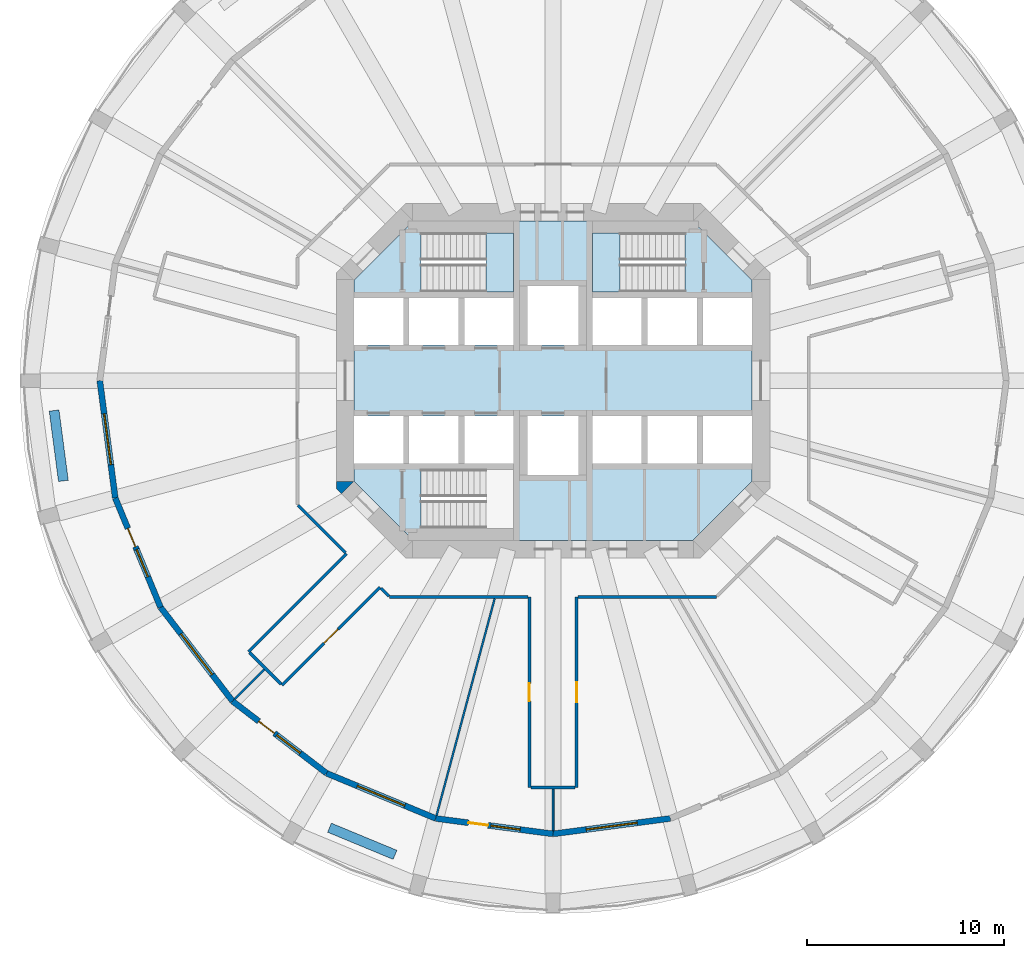
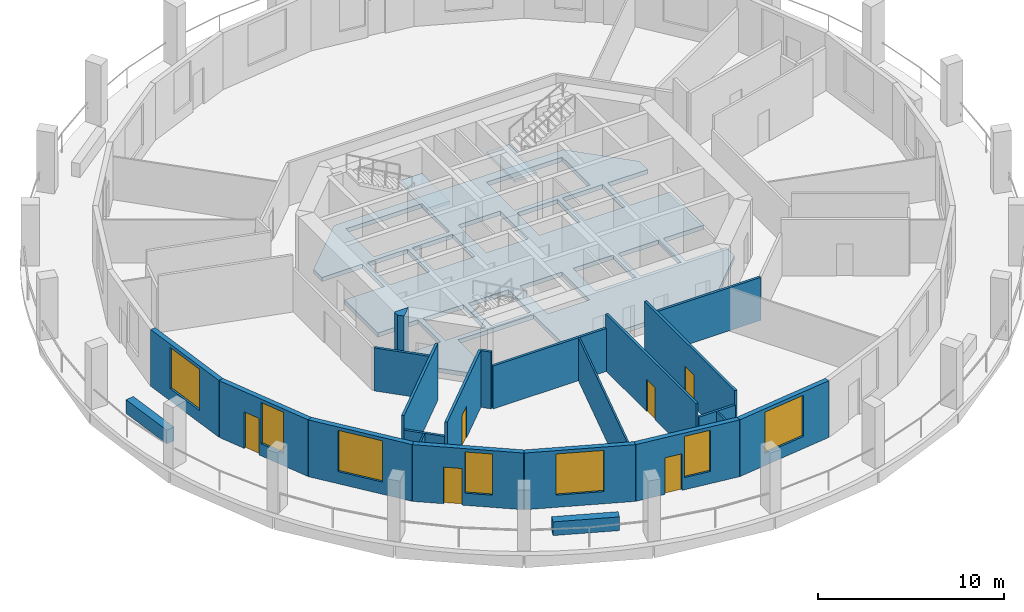
# One storey, part 2 of 9: 23 walls, 7 windows, 6 doors, 3 slabs, 13 openings, 2 elements without a shape of their own.
"""IFC4 building model written with IfcOpenShell, lengths in metres."""

import ifcopenshell
import ifcopenshell.guid

model = None  # the IFC model being written
_history = None  # IfcOwnerHistory: only IFC2X3 demands one
_inside = {}  # id of a spatial element -> (the spatial element, [elements in it])
_under = {}  # id of a project, library or spatial element -> (it, [spatial elements below it])
_declared = {}  # id of a project -> (the project, [libraries it declares])
_typed = {}  # id of a type object -> (the type object, [elements of that type])
_made_of = {}  # id of a material, layer set ... -> (it, [elements and type objects made of it])


def new_model(schema):
    """Start an empty IFC model of exactly this schema.

    Asked for "IFC4X3", IfcOpenShell would pick the latest addendum, in which some entities
    have other attributes; the version numbers below select the first issue.
    IFC2X3 requires an IfcOwnerHistory on every rooted entity: one is made here for all.
    """
    global model, _history
    if schema == "IFC4X3":
        model = ifcopenshell.file(schema_version=(4, 3, 0, 0))
    else:
        model = ifcopenshell.file(schema=schema)
    _inside.clear()
    _under.clear()
    _declared.clear()
    _typed.clear()
    _made_of.clear()
    _history = None
    if model.schema == "IFC2X3":
        org = make("IfcOrganization", Name="unknown")
        user = make(
            "IfcPersonAndOrganization",
            ThePerson=make("IfcPerson", FamilyName="unknown"),
            TheOrganization=org,
        )
        app = make(
            "IfcApplication",
            ApplicationDeveloper=org,
            Version="unknown",
            ApplicationFullName="unknown",
            ApplicationIdentifier="unknown",
        )
        _history = make(
            "IfcOwnerHistory",
            OwningUser=user,
            OwningApplication=app,
            ChangeAction="ADDED",
            CreationDate=0,
        )
    return model


def make(cls, **values):
    """One entity of the class cls with the attributes given. An attribute that is None is left unset."""
    return model.create_entity(
        cls, **{name: value for name, value in values.items() if value is not None}
    )


def rooted(cls, **values):
    """An entity with a GlobalId (a new one), such as an element, a storey or a relation."""
    return make(cls, GlobalId=ifcopenshell.guid.new(), OwnerHistory=_history, **values)


def si_unit(unit_type, name, prefix=None):
    """IfcSIUnit, for example si_unit("LENGTHUNIT", "METRE", prefix="MILLI")."""
    return make("IfcSIUnit", UnitType=unit_type, Prefix=prefix, Name=name)


def assignment(units):
    """IfcUnitAssignment: the units of a project."""
    return None if units is None else make("IfcUnitAssignment", Units=units)


def point(xyz):
    """IfcCartesianPoint."""
    return None if xyz is None else make("IfcCartesianPoint", Coordinates=xyz)


def direction(xyz):
    """IfcDirection."""
    return None if xyz is None else make("IfcDirection", DirectionRatios=xyz)


def frame(location, z_axis=None, x_axis=None):
    """IfcAxis2Placement3D, a coordinate frame: its origin and axes. An axis left out is left unset."""
    return make(
        "IfcAxis2Placement3D",
        Location=point(location),
        Axis=direction(z_axis),
        RefDirection=direction(x_axis),
    )


def frame_2d(location, x_axis=None):
    """IfcAxis2Placement2D, a coordinate frame in the plane: its origin and x axis."""
    return make(
        "IfcAxis2Placement2D", Location=point(location), RefDirection=direction(x_axis)
    )


def origin():
    """The frame at (0, 0, 0) with its axes left unset."""
    return frame((0.0, 0.0, 0.0))


def place(relative_to, where):
    """IfcLocalPlacement: puts the frame where relative to a parent placement (None: the world)."""
    return make(
        "IfcLocalPlacement", PlacementRelTo=relative_to, RelativePlacement=where
    )


def context(
    kind, dimensions, precision=None, world=None, true_north=None, identifier=None
):
    """IfcGeometricRepresentationContext, for example the 3D "Model" context."""
    return make(
        "IfcGeometricRepresentationContext",
        ContextIdentifier=identifier,
        ContextType=kind,
        CoordinateSpaceDimension=dimensions,
        Precision=precision,
        WorldCoordinateSystem=world,
        TrueNorth=true_north,
    )


def subcontext(parent, identifier, kind, view, scale=None):
    """IfcGeometricRepresentationSubContext, for example "Body" below "Model"."""
    return make(
        "IfcGeometricRepresentationSubContext",
        ContextIdentifier=identifier,
        ContextType=kind,
        ParentContext=parent,
        TargetScale=scale,
        TargetView=view,
    )


def project(units=None, contexts=None):
    """IfcProject with its units and contexts."""
    return rooted(
        "IfcProject",
        Name="project",
        RepresentationContexts=contexts,
        UnitsInContext=assignment(units),
    )


def spatial(cls, under=None, at=None, **own):
    """A site, building, storey or space (cls), placed at a placement, below another one or the project."""
    s = rooted(cls, ObjectPlacement=at, **own)
    if under is not None:
        _under.setdefault(under.id(), (under, []))[1].append(s)
    return s


def polyline(points):
    """IfcPolyline through the points."""
    return make("IfcPolyline", Points=[point(p) for p in points])


def profile(cls, at=None, kind="AREA", **sizes):
    """A parametric profile (cls). Its sizes go by their IFC names, for example OverallWidth=200.0."""
    return make(cls, ProfileType=kind, Position=at, **sizes)


def rectangle(**sizes):
    """IfcRectangleProfileDef."""
    return profile("IfcRectangleProfileDef", **sizes)


def outline(outer, holes=None, kind="AREA"):
    """IfcArbitraryClosedProfileDef: a profile drawn as a closed curve; with holes, ...WithVoids."""
    if holes is None:
        return make("IfcArbitraryClosedProfileDef", ProfileType=kind, OuterCurve=outer)
    return make(
        "IfcArbitraryProfileDefWithVoids",
        ProfileType=kind,
        OuterCurve=outer,
        InnerCurves=holes,
    )


def extrude(swept, where, along, depth):
    """IfcExtrudedAreaSolid: the profile swept, set in the frame where, extruded along a direction by depth."""
    return make(
        "IfcExtrudedAreaSolid",
        SweptArea=swept,
        Position=where,
        ExtrudedDirection=direction(along),
        Depth=depth,
    )


def shape(context_of_items, identifier, shape_type, items):
    """IfcShapeRepresentation: the items that make up one representation, for example the "Body"."""
    return make(
        "IfcShapeRepresentation",
        ContextOfItems=context_of_items,
        RepresentationIdentifier=identifier,
        RepresentationType=shape_type,
        Items=items,
    )


def material(Name=None, Category=None):
    """IfcMaterial."""
    return make("IfcMaterial", Name=Name, Category=Category)


def layer(
    of_material, thickness, ventilated=None, Name=None, Category=None, Priority=None
):
    """IfcMaterialLayer: one layer of a wall or slab, of a material (None: an air gap)."""
    return make(
        "IfcMaterialLayer",
        Material=of_material,
        LayerThickness=thickness,
        IsVentilated=ventilated,
        Name=Name,
        Category=Category,
        Priority=Priority,
    )


def layer_set(layers, Name=None):
    """IfcMaterialLayerSet."""
    return make("IfcMaterialLayerSet", MaterialLayers=layers, LayerSetName=Name)


def made_of(thing, what):
    """Note that an element or type object is made of a material, layer set ...; save() writes the relation."""
    if what is not None:
        _made_of.setdefault(what.id(), (what, []))[1].append(thing)
    return thing


def type_object(cls, material=None, **own):
    """A type object (cls), such as IfcWallType, which elements share."""
    return made_of(rooted(cls, **own), material)


def element(
    cls,
    number,
    at=None,
    inside=None,
    cuts=None,
    type_object=None,
    material=None,
    context=None,
    identifier="Body",
    shape_type=None,
    held_by="IfcProductDefinitionShape",
    body=None,
    shapes=None,
    **own,
):
    """One element of the class cls, such as IfcWall. Its Tag is "e" and its number.

    at: its placement. inside: the storey or other place that contains it. cuts: it is an
    opening in that element (IfcRelVoidsElement). A single representation is given by context,
    identifier, shape_type and body (its items); several are given by shapes. held_by: the class
    of the entity that holds the representations. save() writes the other relations.
    """
    e = rooted(cls, Tag="e%d" % number, ObjectPlacement=at, **own)
    if body is not None:
        shapes = [shape(context, identifier, shape_type, body)]
    if shapes is not None:
        e.Representation = make(held_by, Representations=shapes)
    if inside is not None:
        _inside.setdefault(inside.id(), (inside, []))[1].append(e)
    if cuts is not None:
        rooted(
            "IfcRelVoidsElement", RelatingBuildingElement=cuts, RelatedOpeningElement=e
        )
    if type_object is not None:
        _typed.setdefault(type_object.id(), (type_object, []))[1].append(e)
    return made_of(e, material)


def fill(opening, filler):
    """IfcRelFillsElement: the door or window that sits in an opening."""
    return rooted(
        "IfcRelFillsElement",
        RelatingOpeningElement=opening,
        RelatedBuildingElement=filler,
    )


def aggregate(whole, parts):
    """IfcRelAggregates: a whole, such as a stair, and the parts it consists of."""
    return rooted("IfcRelAggregates", RelatingObject=whole, RelatedObjects=parts)


def save(model, path):
    """Write the relations noted so far, then the file.

    IfcRelAggregates (storeys below a building ...), IfcRelContainedInSpatialStructure (elements
    in a storey), IfcRelDefinesByType, IfcRelAssociatesMaterial and IfcRelDeclares: one each for
    every whole, place, type object, material and project.
    """
    for whole, parts in _under.values():
        aggregate(whole, parts)
    for where, things in _inside.values():
        rooted(
            "IfcRelContainedInSpatialStructure",
            RelatedElements=things,
            RelatingStructure=where,
        )
    for kind, things in _typed.values():
        rooted("IfcRelDefinesByType", RelatedObjects=things, RelatingType=kind)
    for what, things in _made_of.values():
        rooted("IfcRelAssociatesMaterial", RelatedObjects=things, RelatingMaterial=what)
    for by, libraries in _declared.values():
        rooted("IfcRelDeclares", RelatingContext=by, RelatedDefinitions=libraries)
    model.write(path)


model = new_model("IFC4")

# Units and contexts
model_context = context("Model", 3, precision=1e-05, world=origin(), true_north=direction((0.0, 1.0)))
body_context = subcontext(model_context, "Body", "Model", "MODEL_VIEW")
ifc_project = project(units=[si_unit("LENGTHUNIT", "METRE"), si_unit("AREAUNIT", "SQUARE_METRE"), si_unit("VOLUMEUNIT", "CUBIC_METRE"), si_unit("PLANEANGLEUNIT", "RADIAN"), si_unit("MASSUNIT", "GRAM", prefix="KILO")], contexts=[model_context])

# Site, building, storey
site_placement = place(None, origin())
site = spatial("IfcSite", under=ifc_project, at=site_placement, CompositionType="ELEMENT")
building_placement = place(site_placement, origin())
building = spatial("IfcBuilding", under=site, at=building_placement, Name="Torre Triforio", CompositionType="ELEMENT")
storey_placement = place(building_placement, frame((0.0, 0.0, 47.0)))
storey = spatial("IfcBuildingStorey", under=building, at=storey_placement, Name="L09", CompositionType="ELEMENT", Elevation=47.0)

# Slab
ifc_material_1 = material(Name="Concrete C60", Category="concrete")
ifc_layer_1 = layer(ifc_material_1, 0.280029296875)
ifc_layer_set_1 = layer_set([ifc_layer_1], Name="Concrete C60")
slab_type_1 = type_object("IfcSlabType", Name="Core floor slab 280 mm C60 REI 120", PredefinedType="FLOOR", material=ifc_layer_set_1)
slab_1_placement = place(storey_placement, frame((0.0, 0.0, -0.280029296875)))
element("IfcSlab", 1, at=slab_1_placement, inside=storey, type_object=slab_type_1, Name="Core floor slab", PredefinedType="FLOOR", context=body_context, shape_type="SweptSolid", body=[
    extrude(outline(polyline([(10.10009765625, -5.10009765625), (7.10009765625, -8.10009765625), (-7.10009765625, -8.10009765625), (-10.10009765625, -5.10009765625), (-10.10009765625, -4.199951171875), (-7.60009765625, -4.199951171875), (-7.60009765625, -1.800048828125), (-10.10009765625, -1.800048828125), (-10.10009765625, 1.800048828125), (-7.60009765625, 1.800048828125), (-7.60009765625, 4.199951171875), (-10.10009765625, 4.199951171875), (-10.10009765625, 5.10009765625), (-7.10009765625, 8.10009765625), (7.10009765625, 8.10009765625), (10.10009765625, 5.10009765625), (10.10009765625, 4.199951171875), (7.60009765625, 4.199951171875), (7.60009765625, 1.800048828125), (10.10009765625, 1.800048828125), (10.10009765625, -1.800048828125), (7.60009765625, -1.800048828125), (7.60009765625, -4.199951171875), (10.10009765625, -4.199951171875), (10.10009765625, -5.10009765625)]), holes=[polyline([(-2.0, -4.5), (-6.696044921875, -4.5), (-6.696044921875, -7.5), (-2.0, -7.5), (-2.0, -4.5)]), polyline([(-4.800048828125, -1.800048828125), (-7.300048828125, -1.800048828125), (-7.300048828125, -4.199951171875), (-4.800048828125, -4.199951171875), (-4.800048828125, -1.800048828125)]), polyline([(-2.0, -1.800048828125), (-4.5, -1.800048828125), (-4.5, -4.199951171875), (-2.0, -4.199951171875), (-2.0, -1.800048828125)]), polyline([(-4.800048828125, 4.199951171875), (-7.300048828125, 4.199951171875), (-7.300048828125, 1.800048828125), (-4.800048828125, 1.800048828125), (-4.800048828125, 4.199951171875)]), polyline([(-2.0, 4.199951171875), (-4.5, 4.199951171875), (-4.5, 1.800048828125), (-2.0, 1.800048828125), (-2.0, 4.199951171875)]), polyline([(1.300048828125, 4.800048828125), (-1.300048828125, 4.800048828125), (-1.300048828125, 1.800048828125), (1.300048828125, 1.800048828125), (1.300048828125, 4.800048828125)]), polyline([(-2.0, 7.5), (-6.696044921875, 7.5), (-6.696044921875, 4.5), (-2.0, 4.5), (-2.0, 7.5)]), polyline([(1.300048828125, -1.800048828125), (-1.300048828125, -1.800048828125), (-1.300048828125, -4.800048828125), (1.300048828125, -4.800048828125), (1.300048828125, -1.800048828125)]), polyline([(4.5, -1.800048828125), (2.0, -1.800048828125), (2.0, -4.199951171875), (4.5, -4.199951171875), (4.5, -1.800048828125)]), polyline([(7.300048828125, -1.800048828125), (4.800048828125, -1.800048828125), (4.800048828125, -4.199951171875), (7.300048828125, -4.199951171875), (7.300048828125, -1.800048828125)]), polyline([(4.5, 4.199951171875), (2.0, 4.199951171875), (2.0, 1.800048828125), (4.5, 1.800048828125), (4.5, 4.199951171875)]), polyline([(7.300048828125, 4.199951171875), (4.800048828125, 4.199951171875), (4.800048828125, 1.800048828125), (7.300048828125, 1.800048828125), (7.300048828125, 4.199951171875)]), polyline([(6.696044921875, 4.5), (6.696044921875, 7.5), (2.0, 7.5), (2.0, 4.5), (6.696044921875, 4.5)])]), origin(), (0.0, 0.0, 1.0), 0.280029296875),
])

# Stair, slab
ifc_material_2 = material(Name="Concrete C40", Category="concrete")
stair_type = type_object("IfcStairType", Name="STAIR HALF-TURN", PredefinedType="HALF_TURN_STAIR", material=ifc_material_2)
stair_1_placement = place(storey_placement, origin())
stair_1 = element("IfcStair", 2, at=stair_1_placement, inside=storey, type_object=stair_type, Name="Exit stair 1", PredefinedType="HALF_TURN_STAIR")
ifc_layer_2 = layer(ifc_material_2, 0.199951171875)
ifc_layer_set_2 = layer_set([ifc_layer_2], Name="Concrete C40")
slab_type_2 = type_object("IfcSlabType", Name="STAIR LANDING 200", PredefinedType="LANDING", material=ifc_layer_set_2)
slab_2_placement = place(storey_placement, frame((0.0, 0.0, 1.800048828125)))
slab_2 = element("IfcSlab", 3, at=slab_2_placement, type_object=slab_type_2, Name="ST1 landing 1", PredefinedType="LANDING", context=body_context, shape_type="SweptSolid", body=[
    extrude(outline(polyline([(-2.0, 4.5), (-2.0, 7.5), (-3.39990234375, 7.5), (-3.39990234375, 4.5), (-2.0, 4.5)])), origin(), (0.0, 0.0, 1.0), 0.199951171875),
])
aggregate(stair_1, [slab_2])

stair_2_placement = place(storey_placement, origin())
stair_2 = element("IfcStair", 4, at=stair_2_placement, inside=storey, type_object=stair_type, Name="Exit stair 2", PredefinedType="HALF_TURN_STAIR")
slab_3_placement = place(storey_placement, frame((0.0, 0.0, 1.800048828125)))
slab_3 = element("IfcSlab", 5, at=slab_3_placement, type_object=slab_type_2, Name="ST2 landing 1", PredefinedType="LANDING", context=body_context, shape_type="SweptSolid", body=[
    extrude(outline(polyline([(3.39990234375, 4.5), (3.39990234375, 7.5), (2.0, 7.5), (2.0, 4.5), (3.39990234375, 4.5)])), origin(), (0.0, 0.0, 1.0), 0.199951171875),
])
aggregate(stair_2, [slab_3])

# Walls
ifc_layer_3 = layer(ifc_material_1, 0.89990234375)
ifc_layer_set_3 = layer_set([ifc_layer_3], Name="Concrete C60")
wall_type_1 = type_object("IfcWallType", Name="Core wall 900 mm C60 EI 120", PredefinedType="SHEAR", material=ifc_layer_set_3)
wall_1_placement = place(storey_placement, frame((0.0, 0.0, -0.280029296875)))
element("IfcWall", 6, at=wall_1_placement, inside=storey, type_object=wall_type_1, Name="Core wall", PredefinedType="SHEAR", context=body_context, shape_type="SweptSolid", body=[
    extrude(outline(polyline([(-11.0, -5.472900390625), (-11.0, -5.1298828125), (-10.1298828125, -5.1298828125), (-10.736328125, -5.736328125), (-11.0, -5.472900390625)])), origin(), (0.0, 0.0, 1.0), 4.0),
])
ifc_material_3 = material(Name="Plasterboard on metal studs")
ifc_layer_4 = layer(ifc_material_3, 0.14990234375)
ifc_layer_set_4 = layer_set([ifc_layer_4], Name="Plasterboard on metal studs")
wall_type_2 = type_object("IfcWallType", Name="Corridor and tenancy wall 150 mm EI 60", PredefinedType="PARTITIONING", material=ifc_layer_set_4)
wall_2_placement = place(storey_placement, frame((8.291015625, -10.97509765625, 0.0), z_axis=(0.0, 0.0, 1.0), x_axis=(-1.0, 0.0, 0.0)))
element("IfcWall", 7, at=wall_2_placement, inside=storey, type_object=wall_type_2, Name="Partition 4", PredefinedType="PARTITIONING", context=body_context, shape_type="SweptSolid", body=[
    extrude(rectangle(XDim=7.01611328125, YDim=0.14990234375, at=frame_2d((3.508056640625, 0.0))), origin(), (0.0, 0.0, 1.0), 2.820068359375),
])

# Wall, opening, door
wall_3_placement = place(storey_placement, frame((1.199951171875, -10.97509765625, 0.0), z_axis=(0.0, 0.0, 1.0), x_axis=(0.0, -1.0, 0.0)))
wall_3 = element("IfcWall", 8, at=wall_3_placement, inside=storey, type_object=wall_type_2, Name="Partition 5", PredefinedType="PARTITIONING", context=body_context, shape_type="SweptSolid", body=[
    extrude(rectangle(XDim=9.673583984375, YDim=0.14990234375, at=frame_2d((4.8369140625, 0.0))), origin(), (0.0, 0.0, 1.0), 3.719970703125),
])
opening_1_placement = place(wall_3_placement, frame((4.3369140625, 0.0, 0.0)))
opening_1 = element("IfcOpeningElement", 9, at=opening_1_placement, cuts=wall_3, Name="Opening N2-07", PredefinedType="OPENING", context=body_context, shape_type="SweptSolid", body=[
    extrude(rectangle(XDim=1.0, YDim=2.10009765625, at=frame_2d((0.5, 1.050048828125))), frame((0.0, 0.0849609375, 0.0), z_axis=(0.0, -1.0, 0.0), x_axis=(1.0, 0.0, 0.0)), (0.0, 0.0, 1.0), 0.169921875),
])
ifc_material_4 = material(Name="Timber", Category="wood")
door_type_1 = type_object("IfcDoorType", Name="Door 1000 x 2100 single leaf EI 30", OperationType="NOTDEFINED", PredefinedType="DOOR", material=ifc_material_4)
door_1_placement = place(opening_1_placement, origin())
door_1 = element("IfcDoor", 10, at=door_1_placement, inside=storey, type_object=door_type_1, Name="Door N2-07", OperationType="SINGLE_SWING_RIGHT", OverallHeight=2.10009765625, OverallWidth=1.0, PredefinedType="DOOR", context=body_context, shape_type="SweptSolid", body=[
    extrude(rectangle(XDim=1.0, YDim=2.10009765625, at=frame_2d((0.5, 1.050048828125))), frame((0.0, 0.02490234375, 0.0), z_axis=(0.0, -1.0, 0.0), x_axis=(1.0, 0.0, 0.0)), (0.0, 0.0, 1.0), 0.050048828125),
])
fill(opening_1, door_1)

# Wall
wall_4_placement = place(storey_placement, frame((1.125, -20.648681640625, 0.0), z_axis=(0.0, 0.0, 1.0), x_axis=(-1.0, 0.0, 0.0)))
element("IfcWall", 11, at=wall_4_placement, inside=storey, type_object=wall_type_2, Name="Partition 6", PredefinedType="PARTITIONING", context=body_context, shape_type="SweptSolid", body=[
    extrude(rectangle(XDim=2.25, YDim=0.14990234375, at=frame_2d((1.125, 0.0))), origin(), (0.0, 0.0, 1.0), 2.820068359375),
])

# Wall, opening, door
wall_5_placement = place(storey_placement, frame((-1.199951171875, -20.648681640625, 0.0), z_axis=(0.0, 0.0, 1.0), x_axis=(0.0, 1.0, 0.0)))
wall_5 = element("IfcWall", 12, at=wall_5_placement, inside=storey, type_object=wall_type_2, Name="Partition 7", PredefinedType="PARTITIONING", context=body_context, shape_type="SweptSolid", body=[
    extrude(rectangle(XDim=9.673583984375, YDim=0.14990234375, at=frame_2d((4.8369140625, 0.0))), origin(), (0.0, 0.0, 1.0), 3.719970703125),
])
opening_2_placement = place(wall_5_placement, frame((4.386962890625, 0.0, 0.0)))
opening_2 = element("IfcOpeningElement", 13, at=opening_2_placement, cuts=wall_5, Name="Opening N2-06", PredefinedType="OPENING", context=body_context, shape_type="SweptSolid", body=[
    extrude(rectangle(XDim=0.89990234375, YDim=2.10009765625, at=frame_2d((0.449951171875, 1.050048828125))), frame((0.0, 0.0849609375, 0.0), z_axis=(0.0, -1.0, 0.0), x_axis=(1.0, 0.0, 0.0)), (0.0, 0.0, 1.0), 0.169921875),
])
door_type_2 = type_object("IfcDoorType", Name="Door 900 x 2100 single leaf EI 30", OperationType="NOTDEFINED", PredefinedType="DOOR", material=ifc_material_4)
door_2_placement = place(opening_2_placement, origin())
door_2 = element("IfcDoor", 14, at=door_2_placement, inside=storey, type_object=door_type_2, Name="Door N2-06", OperationType="SINGLE_SWING_RIGHT", OverallHeight=2.10009765625, OverallWidth=0.89990234375, PredefinedType="DOOR", context=body_context, shape_type="SweptSolid", body=[
    extrude(rectangle(XDim=0.89990234375, YDim=2.10009765625, at=frame_2d((0.449951171875, 1.050048828125))), frame((0.0, 0.02490234375, 0.0), z_axis=(0.0, -1.0, 0.0), x_axis=(1.0, 0.0, 0.0)), (0.0, 0.0, 1.0), 0.050048828125),
])
fill(opening_2, door_2)

# Walls
wall_6_placement = place(storey_placement, frame((-1.27490234375, -10.97509765625, 0.0), z_axis=(0.0, 0.0, 1.0), x_axis=(-1.0, 0.0, 0.0)))
element("IfcWall", 15, at=wall_6_placement, inside=storey, type_object=wall_type_2, Name="Partition 8", PredefinedType="PARTITIONING", context=body_context, shape_type="SweptSolid", body=[
    extrude(rectangle(XDim=7.01611328125, YDim=0.14990234375, at=frame_2d((3.508056640625, 0.0))), origin(), (0.0, 0.0, 1.0), 2.820068359375),
])
wall_7_placement = place(storey_placement, frame((-8.327880859375, -10.93798828125, 0.0), z_axis=(0.0, 0.0, 1.0), x_axis=(-0.707106781187, 0.707106781187, 0.0)))
element("IfcWall", 16, at=wall_7_placement, inside=storey, type_object=wall_type_2, Name="Partition 9", PredefinedType="PARTITIONING", context=body_context, shape_type="SweptSolid", body=[
    extrude(rectangle(XDim=0.57080078125, YDim=0.14990234375, at=frame_2d((0.285400390625, 0.0))), origin(), (0.0, 0.0, 1.0), 3.719970703125),
])

# Wall, opening, door
wall_8_placement = place(storey_placement, frame((-8.784423828125, -10.4814453125, 0.0), z_axis=(0.0, 0.0, 1.0), x_axis=(-0.707089406061, -0.707124155885, 0.0)))
wall_8 = element("IfcWall", 17, at=wall_8_placement, inside=storey, type_object=wall_type_2, Name="Partition 10", PredefinedType="PARTITIONING", context=body_context, shape_type="SweptSolid", body=[
    extrude(rectangle(XDim=7.025634765625, YDim=0.14990234375, at=frame_2d((3.5126953125, 0.0))), origin(), (0.0, 0.0, 1.0), 3.719970703125),
])
opening_3_placement = place(wall_8_placement, frame((3.0126953125, 0.0, 0.0)))
opening_3 = element("IfcOpeningElement", 18, at=opening_3_placement, cuts=wall_8, Name="Opening N2-05", PredefinedType="OPENING", context=body_context, shape_type="SweptSolid", body=[
    extrude(rectangle(XDim=1.0, YDim=2.10009765625, at=frame_2d((0.5, 1.050048828125))), frame((0.0, 0.0849609375, 0.0), z_axis=(0.0, -1.0, 0.0), x_axis=(1.0, 0.0, 0.0)), (0.0, 0.0, 1.0), 0.169921875),
])
door_3_placement = place(opening_3_placement, origin())
door_3 = element("IfcDoor", 19, at=door_3_placement, inside=storey, type_object=door_type_1, Name="Door N2-05", OperationType="SINGLE_SWING_RIGHT", OverallHeight=2.10009765625, OverallWidth=1.0, PredefinedType="DOOR", context=body_context, shape_type="SweptSolid", body=[
    extrude(rectangle(XDim=1.0, YDim=2.10009765625, at=frame_2d((0.5, 1.050048828125))), frame((0.0, 0.02490234375, 0.0), z_axis=(0.0, -1.0, 0.0), x_axis=(1.0, 0.0, 0.0)), (0.0, 0.0, 1.0), 0.050048828125),
])
fill(opening_3, door_3)

# Walls
wall_9_placement = place(storey_placement, frame((-13.805419921875, -15.396240234375, 0.0), z_axis=(0.0, 0.0, 1.0), x_axis=(-0.707106781187, 0.707106781187, 0.0)))
element("IfcWall", 20, at=wall_9_placement, inside=storey, type_object=wall_type_2, Name="Partition 11", PredefinedType="PARTITIONING", context=body_context, shape_type="SweptSolid", body=[
    extrude(rectangle(XDim=2.249755859375, YDim=0.14990234375, at=frame_2d((1.125, 0.0))), origin(), (0.0, 0.0, 1.0), 2.820068359375),
])
wall_10_placement = place(storey_placement, frame((-15.449462890625, -13.752197265625, 0.0), z_axis=(0.0, 0.0, 1.0), x_axis=(0.707124155885, 0.707089406061, 0.0)))
element("IfcWall", 21, at=wall_10_placement, inside=storey, type_object=wall_type_2, Name="Partition 12", PredefinedType="PARTITIONING", context=body_context, shape_type="SweptSolid", body=[
    extrude(rectangle(XDim=7.025634765625, YDim=0.14990234375, at=frame_2d((3.5126953125, 0.0))), origin(), (0.0, 0.0, 1.0), 3.719970703125),
])
wall_11_placement = place(storey_placement, frame((-10.534423828125, -8.7314453125, 0.0), z_axis=(0.0, 0.0, 1.0), x_axis=(-0.707106781187, 0.707106781187, 0.0)))
element("IfcWall", 22, at=wall_11_placement, inside=storey, type_object=wall_type_2, Name="Partition 13", PredefinedType="PARTITIONING", context=body_context, shape_type="SweptSolid", body=[
    extrude(rectangle(XDim=3.399169921875, YDim=0.14990234375, at=frame_2d((1.69970703125, 0.0))), origin(), (0.0, 0.0, 1.0), 2.820068359375),
])
ifc_layer_5 = layer(ifc_material_3, 0.10009765625)
ifc_layer_set_5 = layer_set([ifc_layer_5], Name="Plasterboard on metal studs")
wall_type_3 = type_object("IfcWallType", Name="Partition 100 mm board on metal studs", PredefinedType="PARTITIONING", material=ifc_layer_set_5)
wall_12_placement = place(storey_placement, frame((-14.65380859375, -14.65380859375, 0.0), z_axis=(0.0, 0.0, 1.0), x_axis=(-0.707106781187, -0.707106781187, 0.0)))
element("IfcWall", 23, at=wall_12_placement, inside=storey, type_object=wall_type_3, Name="Partition 36", PredefinedType="PARTITIONING", context=body_context, shape_type="SweptSolid", body=[
    extrude(rectangle(XDim=2.113037109375, YDim=0.10009765625, at=frame_2d((1.056640625, 0.0))), origin(), (0.0, 0.0, 1.0), 2.820068359375),
])
wall_13_placement = place(storey_placement, frame((-2.964599609375, -11.064208984375, 0.0), z_axis=(0.0, 0.0, 1.0), x_axis=(-0.258827930947, -0.965923445291, 0.0)))
element("IfcWall", 24, at=wall_13_placement, inside=storey, type_object=wall_type_3, Name="Partition 37", PredefinedType="PARTITIONING", context=body_context, shape_type="SweptSolid", body=[
    extrude(rectangle(XDim=11.38232421875, YDim=0.10009765625, at=frame_2d((5.691162109375, 0.0))), origin(), (0.0, 0.0, 1.0), 2.820068359375),
])
wall_14_placement = place(storey_placement, frame((0.0, -20.7236328125, 0.0), z_axis=(0.0, 0.0, 1.0), x_axis=(0.0, -1.0, 0.0)))
element("IfcWall", 25, at=wall_14_placement, inside=storey, type_object=wall_type_3, Name="Partition 38", PredefinedType="PARTITIONING", context=body_context, shape_type="SweptSolid", body=[
    extrude(rectangle(XDim=2.113037109375, YDim=0.10009765625, at=frame_2d((1.056640625, 0.0))), origin(), (0.0, 0.0, 1.0), 2.820068359375),
])
ifc_material_5 = material(Name="Limestone cladding", Category="masonry")
ifc_layer_6 = layer(ifc_material_5, 0.10009765625)
ifc_layer_7 = layer(ifc_material_2, 0.39990234375)
ifc_layer_set_6 = layer_set([ifc_layer_6, ifc_layer_7], Name="Limestone cladding / Concrete C40")
wall_type_4 = type_object("IfcWallType", Name="Planter wall 500", PredefinedType="PARAPET", material=ifc_layer_set_6)
for number, where, z_axis, x_axis, name in (
    (26, (-25.318603515625, -1.517578125, 0.0), (0.0, 0.0, 1.0), (0.130542222659, -0.991442750795, 0.0), "Planter L09 bay 13"),
    (27, (-11.344970703125, -22.685302734375, 0.0), (0.0, 0.0, 1.0), (0.923885420167, -0.382669217998, 0.0), "Planter L09 bay 17"),
):
    element("IfcWall", number, at=place(storey_placement, frame(where, z_axis=z_axis, x_axis=x_axis)), inside=storey, type_object=wall_type_4, Name=name, PredefinedType="PARAPET", context=body_context, shape_type="SweptSolid", body=[
        extrude(rectangle(XDim=3.60009765625, YDim=0.5, at=frame_2d((1.800048828125, 0.0))), origin(), (0.0, 0.0, 1.0), 0.89990234375),
    ])

# Wall, opening, window
ifc_layer_8 = layer(ifc_material_5, 0.10009765625)
ifc_layer_9 = layer(ifc_material_2, 0.199951171875)
ifc_layer_set_7 = layer_set([ifc_layer_8, ifc_layer_9], Name="Limestone cladding / Concrete C40")
wall_type_5 = type_object("IfcWallType", Name="Stone-faced composite wall 300", PredefinedType="STANDARD", material=ifc_layer_set_7)
wall_15_placement = place(storey_placement, frame((-23.0, 0.0, 0.0), z_axis=(0.0, 0.0, 1.0), x_axis=(0.130522880875, -0.991445297315, 0.0)))
wall_15 = element("IfcWall", 28, at=wall_15_placement, inside=storey, type_object=wall_type_5, Name="External wall L09 bay 13", PredefinedType="STANDARD", context=body_context, shape_type="SweptSolid", body=[
    extrude(rectangle(XDim=6.004150390625, YDim=0.300048828125, at=frame_2d((3.001953125, 0.0))), origin(), (0.0, 0.0, 1.0), 3.719970703125),
])
opening_4_placement = place(wall_15_placement, frame((1.7021484375, 0.0, 0.800048828125)))
opening_4 = element("IfcOpeningElement", 29, at=opening_4_placement, cuts=wall_15, Name="Opening N2-W13", PredefinedType="OPENING", context=body_context, shape_type="SweptSolid", body=[
    extrude(rectangle(XDim=2.60009765625, YDim=2.699951171875, at=frame_2d((1.300048828125, 1.35009765625))), frame((0.0, 0.159912109375, 0.0), z_axis=(0.0, -1.0, 0.0), x_axis=(1.0, 0.0, 0.0)), (0.0, 0.0, 1.0), 0.320068359375),
])
ifc_material_6 = material(Name="Aluminium frame with clear double glazing", Category="aluminium")
window_type_1 = type_object("IfcWindowType", Name="Punched window 2600 x 2700", PartitioningType="DOUBLE_PANEL_VERTICAL", PredefinedType="WINDOW", material=ifc_material_6)
window_1_placement = place(opening_4_placement, origin())
window_1 = element("IfcWindow", 30, at=window_1_placement, inside=storey, type_object=window_type_1, Name="Window EWN2 L09 bay 13", OverallHeight=2.699951171875, OverallWidth=2.60009765625, PartitioningType="SINGLE_PANEL", PredefinedType="WINDOW", context=body_context, shape_type="SweptSolid", body=[
    extrude(rectangle(XDim=2.60009765625, YDim=2.699951171875, at=frame_2d((1.300048828125, 1.35009765625))), frame((0.0, 0.030029296875, 0.0), z_axis=(0.0, -1.0, 0.0), x_axis=(1.0, 0.0, 0.0)), (0.0, 0.0, 1.0), 0.06005859375),
])
fill(opening_4, window_1)

# Wall, openings, door, window
wall_16_placement = place(storey_placement, frame((-22.21630859375, -5.952880859375, 0.0), z_axis=(0.0, 0.0, 1.0), x_axis=(0.382671411433, -0.923884511653, 0.0)))
wall_16 = element("IfcWall", 31, at=wall_16_placement, inside=storey, type_object=wall_type_5, Name="External wall L09 bay 14", PredefinedType="STANDARD", context=body_context, shape_type="SweptSolid", body=[
    extrude(rectangle(XDim=6.004150390625, YDim=0.300048828125, at=frame_2d((3.001953125, 0.0))), origin(), (0.0, 0.0, 1.0), 3.719970703125),
])
opening_5_placement = place(wall_16_placement, frame((1.677001953125, 0.0, 0.0)))
opening_5 = element("IfcOpeningElement", 32, at=opening_5_placement, cuts=wall_16, Name="Opening N2-D14", PredefinedType="OPENING", context=body_context, shape_type="SweptSolid", body=[
    extrude(rectangle(XDim=1.0, YDim=2.39990234375, at=frame_2d((0.5, 1.199951171875))), frame((0.0, 0.159912109375, 0.0), z_axis=(0.0, -1.0, 0.0), x_axis=(1.0, 0.0, 0.0)), (0.0, 0.0, 1.0), 0.320068359375),
])
opening_6_placement = place(wall_16_placement, frame((2.8271484375, 0.0, 0.800048828125)))
opening_6 = element("IfcOpeningElement", 33, at=opening_6_placement, cuts=wall_16, Name="Opening N2-W14A", PredefinedType="OPENING", context=body_context, shape_type="SweptSolid", body=[
    extrude(rectangle(XDim=1.5, YDim=2.699951171875, at=frame_2d((0.75, 1.35009765625))), frame((0.0, 0.159912109375, 0.0), z_axis=(0.0, -1.0, 0.0), x_axis=(1.0, 0.0, 0.0)), (0.0, 0.0, 1.0), 0.320068359375),
])
door_type_3 = type_object("IfcDoorType", Name="Loggia door 1000 x 2400", OperationType="NOTDEFINED", PredefinedType="DOOR", material=ifc_material_6)
door_4_placement = place(opening_5_placement, origin())
door_4 = element("IfcDoor", 34, at=door_4_placement, inside=storey, type_object=door_type_3, Name="Loggia door L09 bay 14", OperationType="SINGLE_SWING_LEFT", OverallHeight=2.39990234375, OverallWidth=1.0, PredefinedType="DOOR", context=body_context, shape_type="SweptSolid", body=[
    extrude(rectangle(XDim=1.0, YDim=2.39990234375, at=frame_2d((0.5, 1.199951171875))), frame((0.0, 0.02490234375, 0.0), z_axis=(0.0, -1.0, 0.0), x_axis=(1.0, 0.0, 0.0)), (0.0, 0.0, 1.0), 0.050048828125),
])
fill(opening_5, door_4)
window_type_2 = type_object("IfcWindowType", Name="Side window 1500 x 2700", PartitioningType="SINGLE_PANEL", PredefinedType="WINDOW", material=ifc_material_6)
window_2_placement = place(opening_6_placement, origin())
window_2 = element("IfcWindow", 35, at=window_2_placement, inside=storey, type_object=window_type_2, Name="Side window EWN12 L09 bay 14", OverallHeight=2.699951171875, OverallWidth=1.5, PartitioningType="SINGLE_PANEL", PredefinedType="WINDOW", context=body_context, shape_type="SweptSolid", body=[
    extrude(rectangle(XDim=1.5, YDim=2.699951171875, at=frame_2d((0.75, 1.35009765625))), frame((0.0, 0.030029296875, 0.0), z_axis=(0.0, -1.0, 0.0), x_axis=(1.0, 0.0, 0.0)), (0.0, 0.0, 1.0), 0.06005859375),
])
fill(opening_6, window_2)

# Wall, opening, window
wall_17_placement = place(storey_placement, frame((-19.918701171875, -11.5, 0.0), z_axis=(0.0, 0.0, 1.0), x_axis=(0.608778912074, -0.793339924758, 0.0)))
wall_17 = element("IfcWall", 36, at=wall_17_placement, inside=storey, type_object=wall_type_5, Name="External wall L09 bay 15", PredefinedType="STANDARD", context=body_context, shape_type="SweptSolid", body=[
    extrude(rectangle(XDim=6.004150390625, YDim=0.300048828125, at=frame_2d((3.001953125, 0.0))), origin(), (0.0, 0.0, 1.0), 3.719970703125),
])
opening_7_placement = place(wall_17_placement, frame((1.7021484375, 0.0, 0.800048828125)))
opening_7 = element("IfcOpeningElement", 37, at=opening_7_placement, cuts=wall_17, Name="Opening N2-W15", PredefinedType="OPENING", context=body_context, shape_type="SweptSolid", body=[
    extrude(rectangle(XDim=2.60009765625, YDim=2.699951171875, at=frame_2d((1.300048828125, 1.35009765625))), frame((0.0, 0.159912109375, 0.0), z_axis=(0.0, -1.0, 0.0), x_axis=(1.0, 0.0, 0.0)), (0.0, 0.0, 1.0), 0.320068359375),
])
window_3_placement = place(opening_7_placement, origin())
window_3 = element("IfcWindow", 38, at=window_3_placement, inside=storey, type_object=window_type_1, Name="Window EWN2 L09 bay 15", OverallHeight=2.699951171875, OverallWidth=2.60009765625, PartitioningType="SINGLE_PANEL", PredefinedType="WINDOW", context=body_context, shape_type="SweptSolid", body=[
    extrude(rectangle(XDim=2.60009765625, YDim=2.699951171875, at=frame_2d((1.300048828125, 1.35009765625))), frame((0.0, 0.030029296875, 0.0), z_axis=(0.0, -1.0, 0.0), x_axis=(1.0, 0.0, 0.0)), (0.0, 0.0, 1.0), 0.06005859375),
])
fill(opening_7, window_3)

# Wall, openings, door, window
wall_18_placement = place(storey_placement, frame((-16.263427734375, -16.263427734375, 0.0), z_axis=(0.0, 0.0, 1.0), x_axis=(0.793339924758, -0.608778912074, 0.0)))
wall_18 = element("IfcWall", 39, at=wall_18_placement, inside=storey, type_object=wall_type_5, Name="External wall L09 bay 16", PredefinedType="STANDARD", context=body_context, shape_type="SweptSolid", body=[
    extrude(rectangle(XDim=6.004150390625, YDim=0.300048828125, at=frame_2d((3.001953125, 0.0))), origin(), (0.0, 0.0, 1.0), 3.719970703125),
])
opening_8_placement = place(wall_18_placement, frame((1.677001953125, 0.0, 0.0)))
opening_8 = element("IfcOpeningElement", 40, at=opening_8_placement, cuts=wall_18, Name="Opening N2-D16", PredefinedType="OPENING", context=body_context, shape_type="SweptSolid", body=[
    extrude(rectangle(XDim=1.0, YDim=2.39990234375, at=frame_2d((0.5, 1.199951171875))), frame((0.0, 0.159912109375, 0.0), z_axis=(0.0, -1.0, 0.0), x_axis=(1.0, 0.0, 0.0)), (0.0, 0.0, 1.0), 0.320068359375),
])
opening_9_placement = place(wall_18_placement, frame((2.8271484375, 0.0, 0.800048828125)))
opening_9 = element("IfcOpeningElement", 41, at=opening_9_placement, cuts=wall_18, Name="Opening N2-W16A", PredefinedType="OPENING", context=body_context, shape_type="SweptSolid", body=[
    extrude(rectangle(XDim=1.5, YDim=2.699951171875, at=frame_2d((0.75, 1.35009765625))), frame((0.0, 0.159912109375, 0.0), z_axis=(0.0, -1.0, 0.0), x_axis=(1.0, 0.0, 0.0)), (0.0, 0.0, 1.0), 0.320068359375),
])
door_5_placement = place(opening_8_placement, origin())
door_5 = element("IfcDoor", 42, at=door_5_placement, inside=storey, type_object=door_type_3, Name="Loggia door L09 bay 16", OperationType="SINGLE_SWING_LEFT", OverallHeight=2.39990234375, OverallWidth=1.0, PredefinedType="DOOR", context=body_context, shape_type="SweptSolid", body=[
    extrude(rectangle(XDim=1.0, YDim=2.39990234375, at=frame_2d((0.5, 1.199951171875))), frame((0.0, 0.02490234375, 0.0), z_axis=(0.0, -1.0, 0.0), x_axis=(1.0, 0.0, 0.0)), (0.0, 0.0, 1.0), 0.050048828125),
])
fill(opening_8, door_5)
window_4_placement = place(opening_9_placement, origin())
window_4 = element("IfcWindow", 43, at=window_4_placement, inside=storey, type_object=window_type_2, Name="Side window EWN12 L09 bay 16", OverallHeight=2.699951171875, OverallWidth=1.5, PartitioningType="SINGLE_PANEL", PredefinedType="WINDOW", context=body_context, shape_type="SweptSolid", body=[
    extrude(rectangle(XDim=1.5, YDim=2.699951171875, at=frame_2d((0.75, 1.35009765625))), frame((0.0, 0.030029296875, 0.0), z_axis=(0.0, -1.0, 0.0), x_axis=(1.0, 0.0, 0.0)), (0.0, 0.0, 1.0), 0.06005859375),
])
fill(opening_9, window_4)

# Wall, opening, window
wall_19_placement = place(storey_placement, frame((-11.5, -19.918701171875, 0.0), z_axis=(0.0, 0.0, 1.0), x_axis=(0.923884511653, -0.382671411433, 0.0)))
wall_19 = element("IfcWall", 44, at=wall_19_placement, inside=storey, type_object=wall_type_5, Name="External wall L09 bay 17", PredefinedType="STANDARD", context=body_context, shape_type="SweptSolid", body=[
    extrude(rectangle(XDim=6.004150390625, YDim=0.300048828125, at=frame_2d((3.001953125, 0.0))), origin(), (0.0, 0.0, 1.0), 3.719970703125),
])
opening_10_placement = place(wall_19_placement, frame((1.7021484375, 0.0, 0.800048828125)))
opening_10 = element("IfcOpeningElement", 45, at=opening_10_placement, cuts=wall_19, Name="Opening N2-W17", PredefinedType="OPENING", context=body_context, shape_type="SweptSolid", body=[
    extrude(rectangle(XDim=2.60009765625, YDim=2.699951171875, at=frame_2d((1.300048828125, 1.35009765625))), frame((0.0, 0.159912109375, 0.0), z_axis=(0.0, -1.0, 0.0), x_axis=(1.0, 0.0, 0.0)), (0.0, 0.0, 1.0), 0.320068359375),
])
window_5_placement = place(opening_10_placement, origin())
window_5 = element("IfcWindow", 46, at=window_5_placement, inside=storey, type_object=window_type_1, Name="Window EWN2 L09 bay 17", OverallHeight=2.699951171875, OverallWidth=2.60009765625, PartitioningType="SINGLE_PANEL", PredefinedType="WINDOW", context=body_context, shape_type="SweptSolid", body=[
    extrude(rectangle(XDim=2.60009765625, YDim=2.699951171875, at=frame_2d((1.300048828125, 1.35009765625))), frame((0.0, 0.030029296875, 0.0), z_axis=(0.0, -1.0, 0.0), x_axis=(1.0, 0.0, 0.0)), (0.0, 0.0, 1.0), 0.06005859375),
])
fill(opening_10, window_5)

# Wall, openings, door, window
wall_20_placement = place(storey_placement, frame((-5.952880859375, -22.21630859375, 0.0), z_axis=(0.0, 0.0, 1.0), x_axis=(0.991445297315, -0.130522880875, 0.0)))
wall_20 = element("IfcWall", 47, at=wall_20_placement, inside=storey, type_object=wall_type_5, Name="External wall L09 bay 18", PredefinedType="STANDARD", context=body_context, shape_type="SweptSolid", body=[
    extrude(rectangle(XDim=6.004150390625, YDim=0.300048828125, at=frame_2d((3.001953125, 0.0))), origin(), (0.0, 0.0, 1.0), 3.719970703125),
])
opening_11_placement = place(wall_20_placement, frame((1.677001953125, 0.0, 0.0)))
opening_11 = element("IfcOpeningElement", 48, at=opening_11_placement, cuts=wall_20, Name="Opening N2-D18", PredefinedType="OPENING", context=body_context, shape_type="SweptSolid", body=[
    extrude(rectangle(XDim=1.0, YDim=2.39990234375, at=frame_2d((0.5, 1.199951171875))), frame((0.0, 0.159912109375, 0.0), z_axis=(0.0, -1.0, 0.0), x_axis=(1.0, 0.0, 0.0)), (0.0, 0.0, 1.0), 0.320068359375),
])
opening_12_placement = place(wall_20_placement, frame((2.8271484375, 0.0, 0.800048828125)))
opening_12 = element("IfcOpeningElement", 49, at=opening_12_placement, cuts=wall_20, Name="Opening N2-W18A", PredefinedType="OPENING", context=body_context, shape_type="SweptSolid", body=[
    extrude(rectangle(XDim=1.5, YDim=2.699951171875, at=frame_2d((0.75, 1.35009765625))), frame((0.0, 0.159912109375, 0.0), z_axis=(0.0, -1.0, 0.0), x_axis=(1.0, 0.0, 0.0)), (0.0, 0.0, 1.0), 0.320068359375),
])
door_6_placement = place(opening_11_placement, origin())
door_6 = element("IfcDoor", 50, at=door_6_placement, inside=storey, type_object=door_type_3, Name="Loggia door L09 bay 18", OperationType="SINGLE_SWING_RIGHT", OverallHeight=2.39990234375, OverallWidth=1.0, PredefinedType="DOOR", context=body_context, shape_type="SweptSolid", body=[
    extrude(rectangle(XDim=1.0, YDim=2.39990234375, at=frame_2d((0.5, 1.199951171875))), frame((0.0, 0.02490234375, 0.0), z_axis=(0.0, -1.0, 0.0), x_axis=(1.0, 0.0, 0.0)), (0.0, 0.0, 1.0), 0.050048828125),
])
fill(opening_11, door_6)
window_6_placement = place(opening_12_placement, origin())
window_6 = element("IfcWindow", 51, at=window_6_placement, inside=storey, type_object=window_type_2, Name="Side window EWN12 L09 bay 18", OverallHeight=2.699951171875, OverallWidth=1.5, PartitioningType="SINGLE_PANEL", PredefinedType="WINDOW", context=body_context, shape_type="SweptSolid", body=[
    extrude(rectangle(XDim=1.5, YDim=2.699951171875, at=frame_2d((0.75, 1.35009765625))), frame((0.0, 0.030029296875, 0.0), z_axis=(0.0, -1.0, 0.0), x_axis=(1.0, 0.0, 0.0)), (0.0, 0.0, 1.0), 0.06005859375),
])
fill(opening_12, window_6)

# Wall, opening, window
wall_21_placement = place(storey_placement, frame((0.0, -23.0, 0.0), z_axis=(0.0, 0.0, 1.0), x_axis=(0.991445297315, 0.130522880875, 0.0)))
wall_21 = element("IfcWall", 52, at=wall_21_placement, inside=storey, type_object=wall_type_5, Name="External wall L09 bay 19", PredefinedType="STANDARD", context=body_context, shape_type="SweptSolid", body=[
    extrude(rectangle(XDim=6.004150390625, YDim=0.300048828125, at=frame_2d((3.001953125, 0.0))), origin(), (0.0, 0.0, 1.0), 3.719970703125),
])
opening_13_placement = place(wall_21_placement, frame((1.7021484375, 0.0, 0.800048828125)))
opening_13 = element("IfcOpeningElement", 53, at=opening_13_placement, cuts=wall_21, Name="Opening N2-W19", PredefinedType="OPENING", context=body_context, shape_type="SweptSolid", body=[
    extrude(rectangle(XDim=2.60009765625, YDim=2.699951171875, at=frame_2d((1.300048828125, 1.35009765625))), frame((0.0, 0.159912109375, 0.0), z_axis=(0.0, -1.0, 0.0), x_axis=(1.0, 0.0, 0.0)), (0.0, 0.0, 1.0), 0.320068359375),
])
window_7_placement = place(opening_13_placement, origin())
window_7 = element("IfcWindow", 54, at=window_7_placement, inside=storey, type_object=window_type_1, Name="Window EWN2 L09 bay 19", OverallHeight=2.699951171875, OverallWidth=2.60009765625, PartitioningType="SINGLE_PANEL", PredefinedType="WINDOW", context=body_context, shape_type="SweptSolid", body=[
    extrude(rectangle(XDim=2.60009765625, YDim=2.699951171875, at=frame_2d((1.300048828125, 1.35009765625))), frame((0.0, 0.030029296875, 0.0), z_axis=(0.0, -1.0, 0.0), x_axis=(1.0, 0.0, 0.0)), (0.0, 0.0, 1.0), 0.06005859375),
])
fill(opening_13, window_7)

save(model, "model.ifc")
